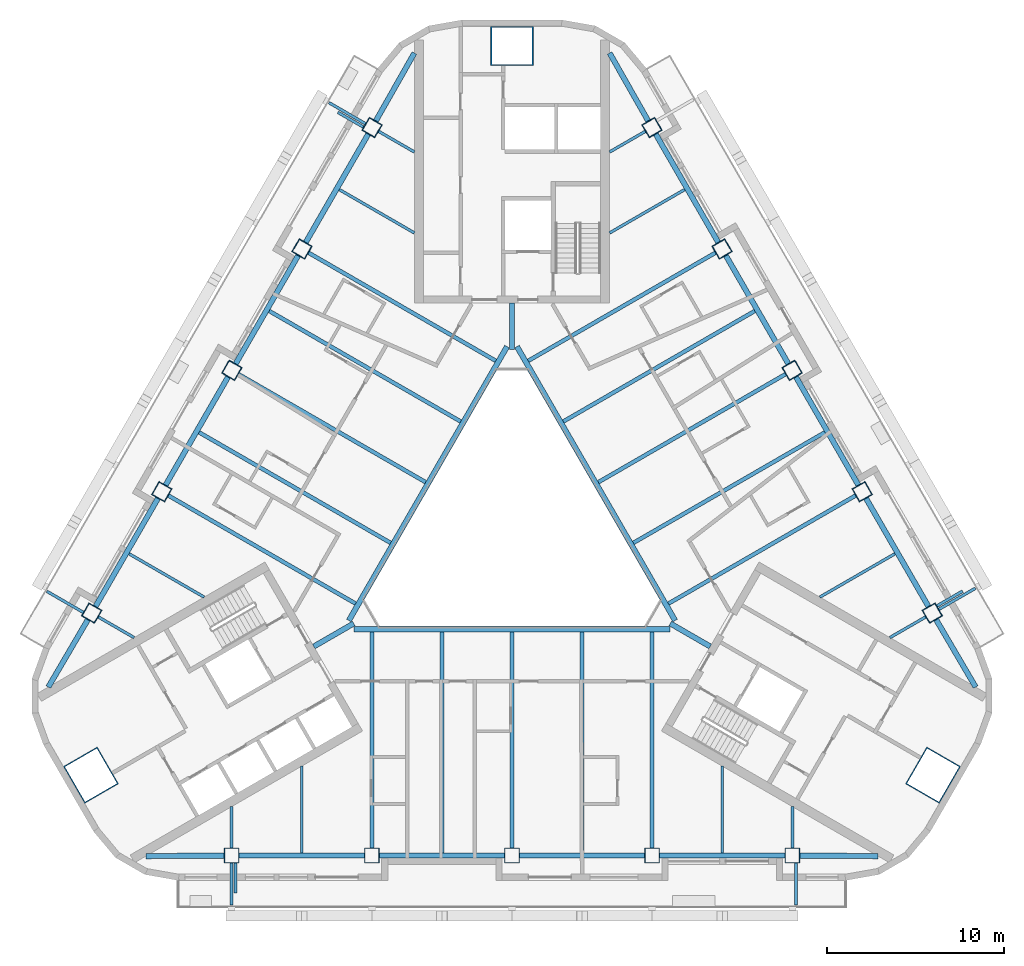
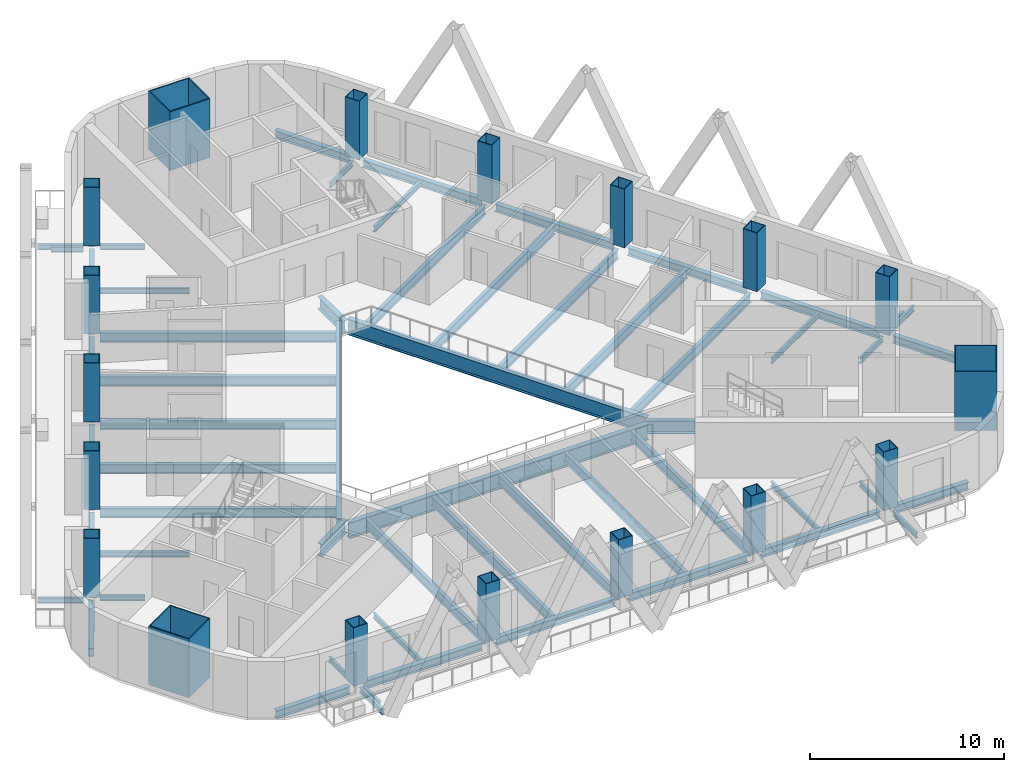
# One storey, part 1 of 14: 59 beams, 18 columns.
"""IFC4 building model written with IfcOpenShell, lengths in metres."""

from ifc_helpers import new_model, si_unit, direction, frame, origin, origin_2d, place, context, subcontext, project, spatial, rectangle, hollow_rectangle, i_section, extrude, material, material_profile, profile_set, type_object, element, save


model = new_model("IFC4")

# Units and contexts
model_context = context("Model", 3, precision=1e-05, world=origin(), true_north=direction((0.0, 1.0)))
body_context = subcontext(model_context, "Body", "Model", "MODEL_VIEW")
ifc_project = project(units=[si_unit("LENGTHUNIT", "METRE"), si_unit("AREAUNIT", "SQUARE_METRE"), si_unit("VOLUMEUNIT", "CUBIC_METRE"), si_unit("PLANEANGLEUNIT", "RADIAN"), si_unit("MASSUNIT", "GRAM", prefix="KILO")], contexts=[model_context])

# Site, building, storey
site_placement = place(None, origin())
site = spatial("IfcSite", under=ifc_project, at=site_placement, CompositionType="ELEMENT")
building_placement = place(site_placement, origin())
building = spatial("IfcBuilding", under=site, at=building_placement, Name="Apuvela Tower Hotel", CompositionType="ELEMENT")
storey_placement = place(building_placement, frame((0.0, 0.0, 176.199951171875)))
storey = spatial("IfcBuildingStorey", under=building, at=storey_placement, Name="L42", CompositionType="ELEMENT", Elevation=176.199951171875)

# Columns
ifc_material_1 = material(Name="Steel S460", Category="steel")
ifc_material_profile_1 = material_profile(ifc_material_1, hollow_rectangle(XDim=2.39990234375, YDim=2.199951171875, WallThickness=0.06005859375, at=origin_2d()), Name="BOX 2400x2200x60")
ifc_material_2 = material(Name="Concrete C80/95", Category="concrete")
ifc_material_profile_2 = material_profile(ifc_material_2, rectangle(XDim=2.280029296875, YDim=2.080078125, at=origin_2d()), Name="Concrete C80/95 infill")
ifc_profile_set_1 = profile_set([ifc_material_profile_1, ifc_material_profile_2], Name="Steel S460")
column_type_1 = type_object("IfcColumnType", Name="STR-MC mega column BOX 2400x2200x60", PredefinedType="COLUMN", material=ifc_profile_set_1)
for number, where, z_axis, x_axis, name in (
    (1, (0.0, 27.39990234375, 0.0), (0.0, 0.0, 1.0), (1.0, 0.0, 0.0), "Mega column MC3 N"),
    (2, (-23.72900390625, -13.699951171875, 0.0), (0.0, 0.0, 1.0), (-0.5, 0.866025403784, 0.0), "Mega column MC3 SW"),
    (3, (23.72900390625, -13.699951171875, 0.0), (0.0, 0.0, 1.0), (0.5, 0.866025403784, 0.0), "Mega column MC3 SE"),
):
    element("IfcColumn", number, at=place(storey_placement, frame(where, z_axis=z_axis, x_axis=x_axis)), inside=storey, type_object=column_type_1, Name=name, PredefinedType="COLUMN", context=body_context, shape_type="SweptSolid", body=[
        extrude(hollow_rectangle(XDim=2.39990234375, YDim=2.199951171875, WallThickness=0.06005859375, at=origin_2d()), origin(), (0.0, 0.0, 1.0), 3.699951171875),
    ])
ifc_material_profile_3 = material_profile(ifc_material_1, hollow_rectangle(XDim=0.85009765625, YDim=0.85009765625, WallThickness=0.0400390625, at=origin_2d()), Name="BOX 850x850x40")
ifc_material_profile_4 = material_profile(ifc_material_2, rectangle(XDim=0.77001953125, YDim=0.77001953125, at=origin_2d()), Name="Concrete C80/95 infill")
ifc_profile_set_2 = profile_set([ifc_material_profile_3, ifc_material_profile_4], Name="Steel S460")
column_type_2 = type_object("IfcColumnType", Name="STR-PC perimeter column BOX 850x850x40", PredefinedType="COLUMN", material=ifc_profile_set_2)
for number, where, z_axis, x_axis, name in (
    (4, (-15.800048828125, -18.22998046875, 0.0), (0.0, 0.0, 1.0), (-1.0, 0.0, 0.0), "Perimeter column C4 S1"),
    (5, (-7.89990234375, -18.22998046875, 0.0), (0.0, 0.0, 1.0), (-1.0, 0.0, 0.0), "Perimeter column C4 S2"),
    (6, (0.0, -18.22998046875, 0.0), (0.0, 0.0, 1.0), (-1.0, 0.0, 0.0), "Perimeter column C4 S3"),
    (7, (7.89990234375, -18.22998046875, 0.0), (0.0, 0.0, 1.0), (-1.0, 0.0, 0.0), "Perimeter column C4 S4"),
    (8, (15.800048828125, -18.22998046875, 0.0), (0.0, 0.0, 1.0), (-1.0, 0.0, 0.0), "Perimeter column C4 S5"),
    (9, (23.6875, -4.568115234375, 0.0), (0.0, 0.0, 1.0), (-0.5, 0.866025403784, 0.0), "Perimeter column C4 NE1"),
    (10, (19.737548828125, 2.2734375, 0.0), (0.0, 0.0, 1.0), (-0.5, 0.866025403784, 0.0), "Perimeter column C4 NE2"),
    (11, (15.78759765625, 9.114990234375, 0.0), (0.0, 0.0, 1.0), (-0.5, 0.866025403784, 0.0), "Perimeter column C4 NE3"),
    (12, (11.837646484375, 15.95654296875, 0.0), (0.0, 0.0, 1.0), (-0.5, 0.866025403784, 0.0), "Perimeter column C4 NE4"),
    (13, (7.8876953125, 22.798095703125, 0.0), (0.0, 0.0, 1.0), (-0.5, 0.866025403784, 0.0), "Perimeter column C4 NE5"),
    (14, (-7.8876953125, 22.798095703125, 0.0), (0.0, 0.0, 1.0), (0.5, 0.866025403784, 0.0), "Perimeter column C4 NW1"),
    (15, (-11.837646484375, 15.95654296875, 0.0), (0.0, 0.0, 1.0), (0.5, 0.866025403784, 0.0), "Perimeter column C4 NW2"),
    (16, (-15.78759765625, 9.114990234375, 0.0), (0.0, 0.0, 1.0), (0.5, 0.866025403784, 0.0), "Perimeter column C4 NW3"),
    (17, (-19.737548828125, 2.2734375, 0.0), (0.0, 0.0, 1.0), (0.5, 0.866025403784, 0.0), "Perimeter column C4 NW4"),
    (18, (-23.6875, -4.568115234375, 0.0), (0.0, 0.0, 1.0), (0.5, 0.866025403784, 0.0), "Perimeter column C4 NW5"),
):
    element("IfcColumn", number, at=place(storey_placement, frame(where, z_axis=z_axis, x_axis=x_axis)), inside=storey, type_object=column_type_2, Name=name, PredefinedType="COLUMN", context=body_context, shape_type="SweptSolid", body=[
        extrude(hollow_rectangle(XDim=0.85009765625, YDim=0.85009765625, WallThickness=0.0400390625, at=origin_2d()), origin(), (0.0, 0.0, 1.0), 3.699951171875),
    ])

# Beams
ifc_material_3 = material(Name="Steel S355", Category="steel")
ifc_material_profile_5 = material_profile(ifc_material_3, i_section(OverallWidth=0.159912109375, OverallDepth=0.330078125, WebThickness=0.007568359375, FlangeThickness=0.011474609375, at=origin_2d()), Name="IPE 330")
ifc_profile_set_3 = profile_set([ifc_material_profile_5], Name="Steel S355")
beam_type_1 = type_object("IfcBeamType", Name="ENV-BALCONY-BEAM-IPE330", PredefinedType="BEAM", material=ifc_profile_set_3)
beam_1_placement = place(storey_placement, frame((-15.800048828125, -18.655029296875, -0.31494140625), z_axis=(0.0, -1.0, 0.0), x_axis=(1.0, 0.0, 0.0)))
element("IfcBeam", 19, at=beam_1_placement, inside=storey, type_object=beam_type_1, Name="Balcony cantilever beam S1 L42", PredefinedType="BEAM", context=body_context, shape_type="SweptSolid", body=[
    extrude(i_section(OverallWidth=0.159912109375, OverallDepth=0.330078125, WebThickness=0.007568359375, FlangeThickness=0.011474609375, at=origin_2d()), origin(), (0.0, 0.0, 1.0), 2.375),
])
beam_2_placement = place(storey_placement, frame((-15.580078125, -18.655029296875, -0.31494140625), z_axis=(0.0, -1.0, 0.0), x_axis=(1.0, 0.0, 0.0)))
element("IfcBeam", 20, at=beam_2_placement, inside=storey, type_object=beam_type_1, Name="Balcony cantilever beam S2 L42", PredefinedType="BEAM", context=body_context, shape_type="SweptSolid", body=[
    extrude(i_section(OverallWidth=0.159912109375, OverallDepth=0.330078125, WebThickness=0.007568359375, FlangeThickness=0.011474609375, at=origin_2d()), origin(), (0.0, 0.0, 1.0), 1.675048828125),
])
for number, where, z_axis, x_axis, name in (
    (21, (16.0, -18.655029296875, -0.31494140625), (0.0, -1.0, 0.0), (1.0, 0.0, 0.0), "Balcony cantilever beam S3 L42"),
    (22, (24.0556640625, -4.355712890625, -0.31494140625), (0.866033238375, 0.499986429846, 0.0), (-0.499986429846, 0.866033238375, 0.0), "Balcony cantilever beam NE1 L42"),
):
    element("IfcBeam", number, at=place(storey_placement, frame(where, z_axis=z_axis, x_axis=x_axis)), inside=storey, type_object=beam_type_1, Name=name, PredefinedType="BEAM", context=body_context, shape_type="SweptSolid", body=[
        extrude(i_section(OverallWidth=0.159912109375, OverallDepth=0.330078125, WebThickness=0.007568359375, FlangeThickness=0.011474609375, at=origin_2d()), origin(), (0.0, 0.0, 1.0), 2.375),
    ])
beam_3_placement = place(storey_placement, frame((23.94580078125, -4.165283203125, -0.31494140625), z_axis=(0.865964676353, 0.500105168249, 0.0), x_axis=(-0.500105168249, 0.865964676353, 0.0)))
element("IfcBeam", 23, at=beam_3_placement, inside=storey, type_object=beam_type_1, Name="Balcony cantilever beam NE2 L42", PredefinedType="BEAM", context=body_context, shape_type="SweptSolid", body=[
    extrude(i_section(OverallWidth=0.159912109375, OverallDepth=0.330078125, WebThickness=0.007568359375, FlangeThickness=0.011474609375, at=origin_2d()), origin(), (0.0, 0.0, 1.0), 1.675048828125),
])
beam_4_placement = place(storey_placement, frame((-8.255615234375, 23.0107421875, -0.31494140625), z_axis=(-0.866033238375, 0.499986429846, 0.0), x_axis=(-0.499986429846, -0.866033238375, 0.0)))
element("IfcBeam", 24, at=beam_4_placement, inside=storey, type_object=beam_type_1, Name="Balcony cantilever beam NW1 L42", PredefinedType="BEAM", context=body_context, shape_type="SweptSolid", body=[
    extrude(i_section(OverallWidth=0.159912109375, OverallDepth=0.330078125, WebThickness=0.007568359375, FlangeThickness=0.011474609375, at=origin_2d()), origin(), (0.0, 0.0, 1.0), 2.375),
])
beam_5_placement = place(storey_placement, frame((-8.36572265625, 22.8203125, -0.31494140625), z_axis=(-0.866064234506, 0.499932737185, 0.0), x_axis=(-0.499932737185, -0.866064234506, 0.0)))
element("IfcBeam", 25, at=beam_5_placement, inside=storey, type_object=beam_type_1, Name="Balcony cantilever beam NW2 L42", PredefinedType="BEAM", context=body_context, shape_type="SweptSolid", body=[
    extrude(i_section(OverallWidth=0.159912109375, OverallDepth=0.330078125, WebThickness=0.007568359375, FlangeThickness=0.011474609375, at=origin_2d()), origin(), (0.0, 0.0, 1.0), 1.675048828125),
])
beam_6_placement = place(storey_placement, frame((-24.15576171875, -4.52880859375, -0.31494140625), z_axis=(-0.866007538022, 0.500030943131, 0.0), x_axis=(-0.500030943131, -0.866007538022, 0.0)))
element("IfcBeam", 26, at=beam_6_placement, inside=storey, type_object=beam_type_1, Name="Balcony cantilever beam NW3 L42", PredefinedType="BEAM", context=body_context, shape_type="SweptSolid", body=[
    extrude(i_section(OverallWidth=0.159912109375, OverallDepth=0.330078125, WebThickness=0.007568359375, FlangeThickness=0.011474609375, at=origin_2d()), origin(), (0.0, 0.0, 1.0), 2.374755859375),
])
ifc_material_profile_6 = material_profile(ifc_material_3, i_section(OverallWidth=0.159912109375, OverallDepth=0.330078125, WebThickness=0.007568359375, FlangeThickness=0.011474609375, at=origin_2d()), Name="IPE 330")
ifc_profile_set_4 = profile_set([ifc_material_profile_6], Name="Steel S355")
beam_type_2 = type_object("IfcBeamType", Name="STR-B floor beam IPE 330", PredefinedType="BEAM", material=ifc_profile_set_4)
beam_7_placement = place(storey_placement, frame((23.319580078125, -4.78076171875, -0.31494140625), z_axis=(-0.866018215049, -0.500012451049, 0.0), x_axis=(0.500012451049, -0.866018215049, 0.0)))
element("IfcBeam", 27, at=beam_7_placement, inside=storey, type_object=beam_type_2, Name="Floor beam B1 NE1", PredefinedType="BEAM", context=body_context, shape_type="SweptSolid", body=[
    extrude(i_section(OverallWidth=0.159912109375, OverallDepth=0.330078125, WebThickness=0.007568359375, FlangeThickness=0.011474609375, at=origin_2d()), origin(), (0.0, 0.0, 1.0), 2.33203125),
])
for number, where, z_axis, x_axis, name in (
    (28, (21.582763671875, -1.222412109375, -0.31494140625), (-0.866015056278, -0.500017921979, 0.0), (0.500017921979, -0.866015056278, 0.0), "Floor beam B1 NE2"),
    (29, (9.732666015625, 19.302490234375, -0.31494140625), (-0.866015056278, -0.500017921979, 0.0), (0.500017921979, -0.866015056278, 0.0), "Floor beam B1 NE8"),
):
    element("IfcBeam", number, at=place(storey_placement, frame(where, z_axis=z_axis, x_axis=x_axis)), inside=storey, type_object=beam_type_2, Name=name, PredefinedType="BEAM", context=body_context, shape_type="SweptSolid", body=[
        extrude(i_section(OverallWidth=0.159912109375, OverallDepth=0.330078125, WebThickness=0.007568359375, FlangeThickness=0.011474609375, at=origin_2d()), origin(), (0.0, 0.0, 1.0), 4.887451171875),
    ])
for number, where, z_axis, x_axis, name in (
    (30, (7.51953125, 22.585693359375, -0.31494140625), (-0.866018215049, -0.500012451049, 0.0), (0.500012451049, -0.866018215049, 0.0), "Floor beam B1 NE9"),
    (31, (-7.51953125, 22.585693359375, -0.31494140625), (0.866018215049, -0.500012451049, 0.0), (0.500012451049, 0.866018215049, 0.0), "Floor beam B1 NW1"),
):
    element("IfcBeam", number, at=place(storey_placement, frame(where, z_axis=z_axis, x_axis=x_axis)), inside=storey, type_object=beam_type_2, Name=name, PredefinedType="BEAM", context=body_context, shape_type="SweptSolid", body=[
        extrude(i_section(OverallWidth=0.159912109375, OverallDepth=0.330078125, WebThickness=0.007568359375, FlangeThickness=0.011474609375, at=origin_2d()), origin(), (0.0, 0.0, 1.0), 2.33203125),
    ])
for number, where, z_axis, x_axis, name in (
    (32, (-9.732666015625, 19.302490234375, -0.31494140625), (0.866015056278, -0.500017921979, 0.0), (0.500017921979, 0.866015056278, 0.0), "Floor beam B1 NW2"),
    (33, (-21.582763671875, -1.222412109375, -0.31494140625), (0.866015056278, -0.500017921979, 0.0), (0.500017921979, 0.866015056278, 0.0), "Floor beam B1 NW8"),
):
    element("IfcBeam", number, at=place(storey_placement, frame(where, z_axis=z_axis, x_axis=x_axis)), inside=storey, type_object=beam_type_2, Name=name, PredefinedType="BEAM", context=body_context, shape_type="SweptSolid", body=[
        extrude(i_section(OverallWidth=0.159912109375, OverallDepth=0.330078125, WebThickness=0.007568359375, FlangeThickness=0.011474609375, at=origin_2d()), origin(), (0.0, 0.0, 1.0), 4.887451171875),
    ])
for number, where, z_axis, x_axis, name in (
    (34, (-23.319580078125, -4.78076171875, -0.31494140625), (0.866018215049, -0.500012451049, 0.0), (0.500012451049, 0.866018215049, 0.0), "Floor beam B1 NW9"),
    (35, (-15.800048828125, -17.804931640625, -0.31494140625), (0.0, 1.0, 0.0), (-1.0, 0.0, 0.0), "Floor beam B1 S1"),
):
    element("IfcBeam", number, at=place(storey_placement, frame(where, z_axis=z_axis, x_axis=x_axis)), inside=storey, type_object=beam_type_2, Name=name, PredefinedType="BEAM", context=body_context, shape_type="SweptSolid", body=[
        extrude(i_section(OverallWidth=0.159912109375, OverallDepth=0.330078125, WebThickness=0.007568359375, FlangeThickness=0.011474609375, at=origin_2d()), origin(), (0.0, 0.0, 1.0), 2.33203125),
    ])
for number, where, z_axis, x_axis, name in (
    (36, (-11.85009765625, -18.080078125, -0.31494140625), (0.0, 1.0, 0.0), (-1.0, 0.0, 0.0), "Floor beam B1 S2"),
    (37, (11.85009765625, -18.080078125, -0.31494140625), (0.0, 1.0, 0.0), (-1.0, 0.0, 0.0), "Floor beam B1 S8"),
):
    element("IfcBeam", number, at=place(storey_placement, frame(where, z_axis=z_axis, x_axis=x_axis)), inside=storey, type_object=beam_type_2, Name=name, PredefinedType="BEAM", context=body_context, shape_type="SweptSolid", body=[
        extrude(i_section(OverallWidth=0.159912109375, OverallDepth=0.330078125, WebThickness=0.007568359375, FlangeThickness=0.011474609375, at=origin_2d()), origin(), (0.0, 0.0, 1.0), 4.8876953125),
    ])
beam_8_placement = place(storey_placement, frame((15.800048828125, -17.804931640625, -0.31494140625), z_axis=(0.0, 1.0, 0.0), x_axis=(-1.0, 0.0, 0.0)))
element("IfcBeam", 38, at=beam_8_placement, inside=storey, type_object=beam_type_2, Name="Floor beam B1 S9", PredefinedType="BEAM", context=body_context, shape_type="SweptSolid", body=[
    extrude(i_section(OverallWidth=0.159912109375, OverallDepth=0.330078125, WebThickness=0.007568359375, FlangeThickness=0.011474609375, at=origin_2d()), origin(), (0.0, 0.0, 1.0), 2.33203125),
])
ifc_material_profile_7 = material_profile(ifc_material_3, i_section(OverallWidth=0.219970703125, OverallDepth=0.60009765625, WebThickness=0.011962890625, FlangeThickness=0.01904296875, at=origin_2d()), Name="IPE 600")
ifc_profile_set_5 = profile_set([ifc_material_profile_7], Name="Steel S355")
beam_type_3 = type_object("IfcBeamType", Name="STR-B floor beam IPE 600", PredefinedType="BEAM", material=ifc_profile_set_5)
beam_9_placement = place(storey_placement, frame((19.36962890625, 2.060791015625, -0.449951171875), z_axis=(-0.866032437209, -0.499987817553, 0.0), x_axis=(0.499987817553, -0.866032437209, 0.0)))
element("IfcBeam", 39, at=beam_9_placement, inside=storey, type_object=beam_type_3, Name="Floor beam B8 NE3", PredefinedType="BEAM", context=body_context, shape_type="SweptSolid", body=[
    extrude(i_section(OverallWidth=0.219970703125, OverallDepth=0.60009765625, WebThickness=0.011962890625, FlangeThickness=0.01904296875, at=origin_2d()), origin(), (0.0, 0.0, 1.0), 12.184814453125),
])
beam_10_placement = place(storey_placement, frame((17.6328125, 5.619140625, -0.449951171875), z_axis=(-0.866027987673, -0.499995524547, 0.0), x_axis=(0.499995524547, -0.866027987673, 0.0)))
element("IfcBeam", 40, at=beam_10_placement, inside=storey, type_object=beam_type_3, Name="Floor beam B8 NE4", PredefinedType="BEAM", context=body_context, shape_type="SweptSolid", body=[
    extrude(i_section(OverallWidth=0.219970703125, OverallDepth=0.60009765625, WebThickness=0.011962890625, FlangeThickness=0.01904296875, at=origin_2d()), origin(), (0.0, 0.0, 1.0), 12.4599609375),
])
beam_11_placement = place(storey_placement, frame((15.419677734375, 8.902587890625, -0.449951171875), z_axis=(-0.8660237613, -0.500002844856, 0.0), x_axis=(0.500002844856, -0.8660237613, 0.0)))
element("IfcBeam", 41, at=beam_11_placement, inside=storey, type_object=beam_type_3, Name="Floor beam B8 NE5", PredefinedType="BEAM", context=body_context, shape_type="SweptSolid", body=[
    extrude(i_section(OverallWidth=0.219970703125, OverallDepth=0.60009765625, WebThickness=0.011962890625, FlangeThickness=0.01904296875, at=origin_2d()), origin(), (0.0, 0.0, 1.0), 12.18505859375),
])
beam_12_placement = place(storey_placement, frame((13.6826171875, 12.460693359375, -0.449951171875), z_axis=(-0.866023089177, -0.500004008996, 0.0), x_axis=(0.500004008996, -0.866023089177, 0.0)))
element("IfcBeam", 42, at=beam_12_placement, inside=storey, type_object=beam_type_3, Name="Floor beam B8 NE6", PredefinedType="BEAM", context=body_context, shape_type="SweptSolid", body=[
    extrude(i_section(OverallWidth=0.219970703125, OverallDepth=0.60009765625, WebThickness=0.011962890625, FlangeThickness=0.01904296875, at=origin_2d()), origin(), (0.0, 0.0, 1.0), 12.4599609375),
])
for number, where, z_axis, x_axis, name in (
    (43, (11.469482421875, 15.744140625, -0.449951171875), (-0.8660237613, -0.500002844856, 0.0), (0.500002844856, -0.8660237613, 0.0), "Floor beam B8 NE7"),
    (44, (-11.469482421875, 15.744140625, -0.449951171875), (0.8660237613, -0.500002844856, 0.0), (0.500002844856, 0.8660237613, 0.0), "Floor beam B8 NW3"),
):
    element("IfcBeam", number, at=place(storey_placement, frame(where, z_axis=z_axis, x_axis=x_axis)), inside=storey, type_object=beam_type_3, Name=name, PredefinedType="BEAM", context=body_context, shape_type="SweptSolid", body=[
        extrude(i_section(OverallWidth=0.219970703125, OverallDepth=0.60009765625, WebThickness=0.011962890625, FlangeThickness=0.01904296875, at=origin_2d()), origin(), (0.0, 0.0, 1.0), 12.18505859375),
    ])
beam_13_placement = place(storey_placement, frame((-13.6826171875, 12.460693359375, -0.449951171875), z_axis=(0.866023089177, -0.500004008996, 0.0), x_axis=(0.500004008996, 0.866023089177, 0.0)))
element("IfcBeam", 45, at=beam_13_placement, inside=storey, type_object=beam_type_3, Name="Floor beam B8 NW4", PredefinedType="BEAM", context=body_context, shape_type="SweptSolid", body=[
    extrude(i_section(OverallWidth=0.219970703125, OverallDepth=0.60009765625, WebThickness=0.011962890625, FlangeThickness=0.01904296875, at=origin_2d()), origin(), (0.0, 0.0, 1.0), 12.4599609375),
])
beam_14_placement = place(storey_placement, frame((-15.419677734375, 8.902587890625, -0.449951171875), z_axis=(0.8660237613, -0.500002844856, 0.0), x_axis=(0.500002844856, 0.8660237613, 0.0)))
element("IfcBeam", 46, at=beam_14_placement, inside=storey, type_object=beam_type_3, Name="Floor beam B8 NW5", PredefinedType="BEAM", context=body_context, shape_type="SweptSolid", body=[
    extrude(i_section(OverallWidth=0.219970703125, OverallDepth=0.60009765625, WebThickness=0.011962890625, FlangeThickness=0.01904296875, at=origin_2d()), origin(), (0.0, 0.0, 1.0), 12.18505859375),
])
beam_15_placement = place(storey_placement, frame((-17.6328125, 5.619140625, -0.449951171875), z_axis=(0.866027987673, -0.499995524547, 0.0), x_axis=(0.499995524547, 0.866027987673, 0.0)))
element("IfcBeam", 47, at=beam_15_placement, inside=storey, type_object=beam_type_3, Name="Floor beam B8 NW6", PredefinedType="BEAM", context=body_context, shape_type="SweptSolid", body=[
    extrude(i_section(OverallWidth=0.219970703125, OverallDepth=0.60009765625, WebThickness=0.011962890625, FlangeThickness=0.01904296875, at=origin_2d()), origin(), (0.0, 0.0, 1.0), 12.4599609375),
])
for number, where, z_axis, x_axis, name in (
    (48, (-19.36962890625, 2.060791015625, -0.449951171875), (0.866032437209, -0.499987817553, 0.0), (0.499987817553, 0.866032437209, 0.0), "Floor beam B8 NW7"),
    (49, (-7.89990234375, -17.804931640625, -0.449951171875), (0.0, 1.0, 0.0), (-1.0, 0.0, 0.0), "Floor beam B8 S3"),
):
    element("IfcBeam", number, at=place(storey_placement, frame(where, z_axis=z_axis, x_axis=x_axis)), inside=storey, type_object=beam_type_3, Name=name, PredefinedType="BEAM", context=body_context, shape_type="SweptSolid", body=[
        extrude(i_section(OverallWidth=0.219970703125, OverallDepth=0.60009765625, WebThickness=0.011962890625, FlangeThickness=0.01904296875, at=origin_2d()), origin(), (0.0, 0.0, 1.0), 12.184814453125),
    ])
beam_16_placement = place(storey_placement, frame((-3.949951171875, -18.080078125, -0.449951171875), z_axis=(0.0, 1.0, 0.0), x_axis=(-1.0, 0.0, 0.0)))
element("IfcBeam", 50, at=beam_16_placement, inside=storey, type_object=beam_type_3, Name="Floor beam B8 S4", PredefinedType="BEAM", context=body_context, shape_type="SweptSolid", body=[
    extrude(i_section(OverallWidth=0.219970703125, OverallDepth=0.60009765625, WebThickness=0.011962890625, FlangeThickness=0.01904296875, at=origin_2d()), origin(), (0.0, 0.0, 1.0), 12.4599609375),
])
beam_17_placement = place(storey_placement, frame((0.0, -17.804931640625, -0.449951171875), z_axis=(0.0, 1.0, 0.0), x_axis=(-1.0, 0.0, 0.0)))
element("IfcBeam", 51, at=beam_17_placement, inside=storey, type_object=beam_type_3, Name="Floor beam B8 S5", PredefinedType="BEAM", context=body_context, shape_type="SweptSolid", body=[
    extrude(i_section(OverallWidth=0.219970703125, OverallDepth=0.60009765625, WebThickness=0.011962890625, FlangeThickness=0.01904296875, at=origin_2d()), origin(), (0.0, 0.0, 1.0), 12.184814453125),
])
beam_18_placement = place(storey_placement, frame((3.949951171875, -18.080078125, -0.449951171875), z_axis=(0.0, 1.0, 0.0), x_axis=(-1.0, 0.0, 0.0)))
element("IfcBeam", 52, at=beam_18_placement, inside=storey, type_object=beam_type_3, Name="Floor beam B8 S6", PredefinedType="BEAM", context=body_context, shape_type="SweptSolid", body=[
    extrude(i_section(OverallWidth=0.219970703125, OverallDepth=0.60009765625, WebThickness=0.011962890625, FlangeThickness=0.01904296875, at=origin_2d()), origin(), (0.0, 0.0, 1.0), 12.4599609375),
])
beam_19_placement = place(storey_placement, frame((7.89990234375, -17.804931640625, -0.449951171875), z_axis=(0.0, 1.0, 0.0), x_axis=(-1.0, 0.0, 0.0)))
element("IfcBeam", 53, at=beam_19_placement, inside=storey, type_object=beam_type_3, Name="Floor beam B8 S7", PredefinedType="BEAM", context=body_context, shape_type="SweptSolid", body=[
    extrude(i_section(OverallWidth=0.219970703125, OverallDepth=0.60009765625, WebThickness=0.011962890625, FlangeThickness=0.01904296875, at=origin_2d()), origin(), (0.0, 0.0, 1.0), 12.184814453125),
])
ifc_material_profile_8 = material_profile(ifc_material_3, i_section(OverallWidth=0.300048828125, OverallDepth=1.0, WebThickness=0.01904296875, FlangeThickness=0.035888671875, at=origin_2d()), Name="HE 1000 B")
ifc_profile_set_6 = profile_set([ifc_material_profile_8], Name="Steel S355")
beam_type_4 = type_object("IfcBeamType", Name="STR-G atrium ring girder HE 1000 B", PredefinedType="BEAM", material=ifc_profile_set_6)
beam_20_placement = place(storey_placement, frame((-0.27978515625, 10.455078125, -0.64990234375), z_axis=(-0.500006541319, -0.866021627119, 0.0), x_axis=(0.866021627119, -0.500006541319, 0.0)))
element("IfcBeam", 54, at=beam_20_placement, inside=storey, type_object=beam_type_4, Name="Atrium ring girder G2 N-SW", PredefinedType="BEAM", context=body_context, shape_type="SweptSolid", body=[
    extrude(i_section(OverallWidth=0.300048828125, OverallDepth=1.0, WebThickness=0.01904296875, FlangeThickness=0.035888671875, at=origin_2d()), origin(), (0.0, 0.0, 1.0), 17.828857421875),
])
beam_21_placement = place(storey_placement, frame((-8.91455078125, -5.469970703125, -0.64990234375), z_axis=(1.0, 0.0, 0.0), x_axis=(0.0, 1.0, 0.0)))
element("IfcBeam", 55, at=beam_21_placement, inside=storey, type_object=beam_type_4, Name="Atrium ring girder G2 SW-SE", PredefinedType="BEAM", context=body_context, shape_type="SweptSolid", body=[
    extrude(i_section(OverallWidth=0.300048828125, OverallDepth=1.0, WebThickness=0.01904296875, FlangeThickness=0.035888671875, at=origin_2d()), origin(), (0.0, 0.0, 1.0), 17.8291015625),
])
beam_22_placement = place(storey_placement, frame((9.1943359375, -4.985107421875, -0.64990234375), z_axis=(-0.500006541319, 0.866021627119, 0.0), x_axis=(-0.866021627119, -0.500006541319, 0.0)))
element("IfcBeam", 56, at=beam_22_placement, inside=storey, type_object=beam_type_4, Name="Atrium ring girder G2 SE-N", PredefinedType="BEAM", context=body_context, shape_type="SweptSolid", body=[
    extrude(i_section(OverallWidth=0.300048828125, OverallDepth=1.0, WebThickness=0.01904296875, FlangeThickness=0.035888671875, at=origin_2d()), origin(), (0.0, 0.0, 1.0), 17.828857421875),
])
ifc_material_profile_9 = material_profile(ifc_material_3, i_section(OverallWidth=0.300048828125, OverallDepth=0.800048828125, WebThickness=0.017578125, FlangeThickness=0.032958984375, at=origin_2d()), Name="HE 800 B")
ifc_profile_set_7 = profile_set([ifc_material_profile_9], Name="Steel S355")
beam_type_5 = type_object("IfcBeamType", Name="STR-GT core tie beam HE 800 B", PredefinedType="BEAM", material=ifc_profile_set_7)
for number, where, z_axis, x_axis, name in (
    (57, (0.0, 12.89990234375, -0.550048828125), (0.0, -1.0, 0.0), (1.0, 0.0, 0.0), "Core tie beam GT1 N"),
    (58, (-11.171630859375, -6.449951171875, -0.550048828125), (0.865997922154, 0.500047596559, 0.0), (-0.500047596559, 0.865997922154, 0.0), "Core tie beam GT1 SW"),
    (59, (11.171630859375, -6.449951171875, -0.550048828125), (-0.865997922154, 0.500047596559, 0.0), (-0.500047596559, -0.865997922154, 0.0), "Core tie beam GT1 SE"),
):
    element("IfcBeam", number, at=place(storey_placement, frame(where, z_axis=z_axis, x_axis=x_axis)), inside=storey, type_object=beam_type_5, Name=name, PredefinedType="BEAM", context=body_context, shape_type="SweptSolid", body=[
        extrude(i_section(OverallWidth=0.300048828125, OverallDepth=0.800048828125, WebThickness=0.017578125, FlangeThickness=0.032958984375, at=origin_2d()), origin(), (0.0, 0.0, 1.0), 2.599853515625),
    ])
ifc_material_profile_10 = material_profile(ifc_material_3, i_section(OverallWidth=0.300048828125, OverallDepth=0.489990234375, WebThickness=0.011962890625, FlangeThickness=0.02294921875, at=origin_2d()), Name="HE 500 A")
ifc_profile_set_8 = profile_set([ifc_material_profile_10], Name="Steel S355")
beam_type_6 = type_object("IfcBeamType", Name="STR-SB spandrel beam HE 500 A", PredefinedType="SPANDREL", material=ifc_profile_set_8)
for number, where, z_axis, x_axis, name in (
    (60, (-15.375, -18.22998046875, -0.39501953125), (1.0, 0.0, 0.0), (0.0, 1.0, 0.0), "Spandrel beam SB3 S1"),
    (61, (-7.47509765625, -18.22998046875, -0.39501953125), (1.0, 0.0, 0.0), (0.0, 1.0, 0.0), "Spandrel beam SB3 S2"),
    (62, (0.425048828125, -18.22998046875, -0.39501953125), (1.0, 0.0, 0.0), (0.0, 1.0, 0.0), "Spandrel beam SB3 S3"),
    (63, (8.324951171875, -18.22998046875, -0.39501953125), (1.0, 0.0, 0.0), (0.0, 1.0, 0.0), "Spandrel beam SB3 S4"),
    (64, (23.47509765625, -4.2001953125, -0.39501953125), (-0.499990246421, 0.866031034943, 0.0), (-0.866031034943, -0.499990246421, 0.0), "Spandrel beam SB3 NE1"),
):
    element("IfcBeam", number, at=place(storey_placement, frame(where, z_axis=z_axis, x_axis=x_axis)), inside=storey, type_object=beam_type_6, Name=name, PredefinedType="SPANDREL", context=body_context, shape_type="SweptSolid", body=[
        extrude(i_section(OverallWidth=0.300048828125, OverallDepth=0.489990234375, WebThickness=0.011962890625, FlangeThickness=0.02294921875, at=origin_2d()), origin(), (0.0, 0.0, 1.0), 7.050048828125),
    ])
for number, where, z_axis, x_axis, name in (
    (65, (19.525146484375, 2.6416015625, -0.39501953125), (-0.500031214443, 0.866007381368, 0.0), (-0.866007381368, -0.500031214443, 0.0), "Spandrel beam SB3 NE2"),
    (66, (15.5751953125, 9.483154296875, -0.39501953125), (-0.500031214443, 0.866007381368, 0.0), (-0.866007381368, -0.500031214443, 0.0), "Spandrel beam SB3 NE3"),
):
    element("IfcBeam", number, at=place(storey_placement, frame(where, z_axis=z_axis, x_axis=x_axis)), inside=storey, type_object=beam_type_6, Name=name, PredefinedType="SPANDREL", context=body_context, shape_type="SweptSolid", body=[
        extrude(i_section(OverallWidth=0.300048828125, OverallDepth=0.489990234375, WebThickness=0.011962890625, FlangeThickness=0.02294921875, at=origin_2d()), origin(), (0.0, 0.0, 1.0), 7.0498046875),
    ])
for number, where, z_axis, x_axis, name in (
    (67, (11.625, 16.32470703125, -0.39501953125), (-0.499990246421, 0.866031034943, 0.0), (-0.866031034943, -0.499990246421, 0.0), "Spandrel beam SB3 NE4"),
    (68, (-8.10009765625, 22.43017578125, -0.39501953125), (-0.499990246421, -0.866031034943, 0.0), (0.866031034943, -0.499990246421, 0.0), "Spandrel beam SB3 NW1"),
):
    element("IfcBeam", number, at=place(storey_placement, frame(where, z_axis=z_axis, x_axis=x_axis)), inside=storey, type_object=beam_type_6, Name=name, PredefinedType="SPANDREL", context=body_context, shape_type="SweptSolid", body=[
        extrude(i_section(OverallWidth=0.300048828125, OverallDepth=0.489990234375, WebThickness=0.011962890625, FlangeThickness=0.02294921875, at=origin_2d()), origin(), (0.0, 0.0, 1.0), 7.050048828125),
    ])
for number, where, z_axis, x_axis, name in (
    (69, (-12.050048828125, 15.58837890625, -0.39501953125), (-0.500031214443, -0.866007381368, 0.0), (0.866007381368, -0.500031214443, 0.0), "Spandrel beam SB3 NW2"),
    (70, (-16.0, 8.746826171875, -0.39501953125), (-0.500031214443, -0.866007381368, 0.0), (0.866007381368, -0.500031214443, 0.0), "Spandrel beam SB3 NW3"),
):
    element("IfcBeam", number, at=place(storey_placement, frame(where, z_axis=z_axis, x_axis=x_axis)), inside=storey, type_object=beam_type_6, Name=name, PredefinedType="SPANDREL", context=body_context, shape_type="SweptSolid", body=[
        extrude(i_section(OverallWidth=0.300048828125, OverallDepth=0.489990234375, WebThickness=0.011962890625, FlangeThickness=0.02294921875, at=origin_2d()), origin(), (0.0, 0.0, 1.0), 7.0498046875),
    ])
beam_23_placement = place(storey_placement, frame((-19.9501953125, 1.9052734375, -0.39501953125), z_axis=(-0.499990246421, -0.866031034943, 0.0), x_axis=(0.866031034943, -0.499990246421, 0.0)))
element("IfcBeam", 71, at=beam_23_placement, inside=storey, type_object=beam_type_6, Name="Spandrel beam SB3 NW4", PredefinedType="SPANDREL", context=body_context, shape_type="SweptSolid", body=[
    extrude(i_section(OverallWidth=0.300048828125, OverallDepth=0.489990234375, WebThickness=0.011962890625, FlangeThickness=0.02294921875, at=origin_2d()), origin(), (0.0, 0.0, 1.0), 7.050048828125),
])
for number, where, z_axis, x_axis, name in (
    (72, (-16.22509765625, -18.23291015625, -0.39501953125), (-0.999976414172, -0.006868122043, 0.0), (0.006868122043, -0.999976414172, 0.0), "Spandrel beam SB3 S1-SW"),
    (73, (16.22509765625, -18.23291015625, -0.39501953125), (0.999976414172, -0.006868122043, 0.0), (0.006868122043, 0.999976414172, 0.0), "Spandrel beam SB3 S5-SE"),
):
    element("IfcBeam", number, at=place(storey_placement, frame(where, z_axis=z_axis, x_axis=x_axis)), inside=storey, type_object=beam_type_6, Name=name, PredefinedType="SPANDREL", context=body_context, shape_type="SweptSolid", body=[
        extrude(i_section(OverallWidth=0.300048828125, OverallDepth=0.489990234375, WebThickness=0.011962890625, FlangeThickness=0.02294921875, at=origin_2d()), origin(), (0.0, 0.0, 1.0), 4.40771484375),
    ])
beam_24_placement = place(storey_placement, frame((23.902587890625, -4.934814453125, -0.39501953125), z_axis=(0.505966812052, -0.86255294626, 0.0), x_axis=(0.86255294626, 0.505966812052, 0.0)))
element("IfcBeam", 74, at=beam_24_placement, inside=storey, type_object=beam_type_6, Name="Spandrel beam SB3 NE1-SE", PredefinedType="SPANDREL", context=body_context, shape_type="SweptSolid", body=[
    extrude(i_section(OverallWidth=0.300048828125, OverallDepth=0.489990234375, WebThickness=0.011962890625, FlangeThickness=0.02294921875, at=origin_2d()), origin(), (0.0, 0.0, 1.0), 4.407958984375),
])
for number, where, z_axis, x_axis, name in (
    (75, (7.677734375, 23.167724609375, -0.39501953125), (-0.494061745322, 0.869426817972, 0.0), (-0.869426817972, -0.494061745322, 0.0), "Spandrel beam SB3 NE5-N"),
    (76, (-7.677734375, 23.167724609375, -0.39501953125), (0.494061745322, 0.869426817972, 0.0), (-0.869426817972, 0.494061745322, 0.0), "Spandrel beam SB3 NW1-N"),
):
    element("IfcBeam", number, at=place(storey_placement, frame(where, z_axis=z_axis, x_axis=x_axis)), inside=storey, type_object=beam_type_6, Name=name, PredefinedType="SPANDREL", context=body_context, shape_type="SweptSolid", body=[
        extrude(i_section(OverallWidth=0.300048828125, OverallDepth=0.489990234375, WebThickness=0.011962890625, FlangeThickness=0.02294921875, at=origin_2d()), origin(), (0.0, 0.0, 1.0), 4.40771484375),
    ])
beam_25_placement = place(storey_placement, frame((-23.902587890625, -4.934814453125, -0.39501953125), z_axis=(-0.505966812052, -0.86255294626, 0.0), x_axis=(0.86255294626, -0.505966812052, 0.0)))
element("IfcBeam", 77, at=beam_25_placement, inside=storey, type_object=beam_type_6, Name="Spandrel beam SB3 NW5-SW", PredefinedType="SPANDREL", context=body_context, shape_type="SweptSolid", body=[
    extrude(i_section(OverallWidth=0.300048828125, OverallDepth=0.489990234375, WebThickness=0.011962890625, FlangeThickness=0.02294921875, at=origin_2d()), origin(), (0.0, 0.0, 1.0), 4.407958984375),
])

save(model, "model.ifc")
